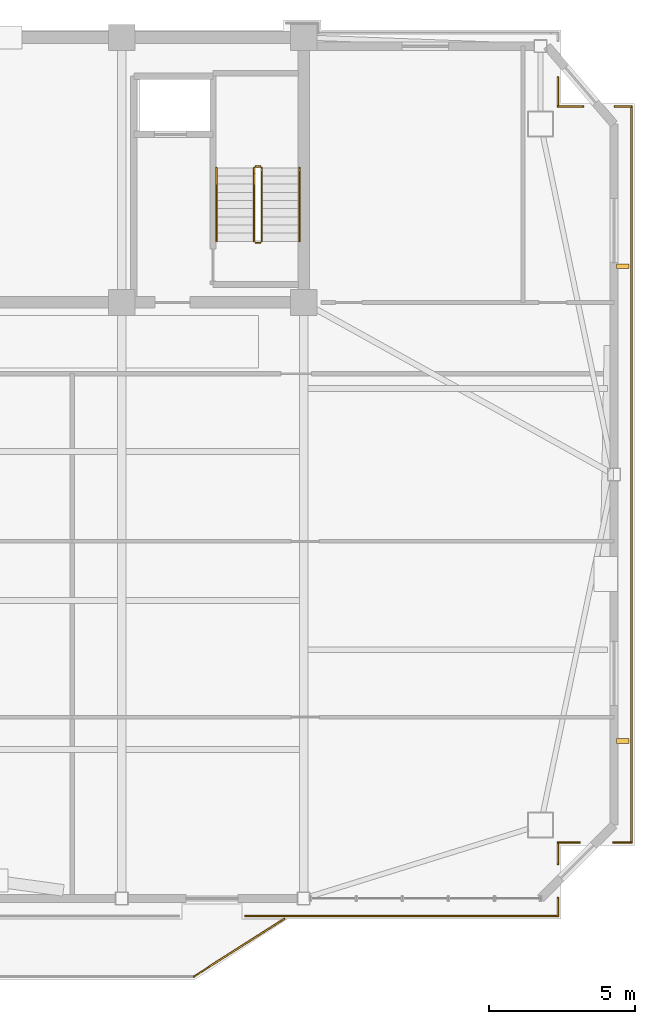
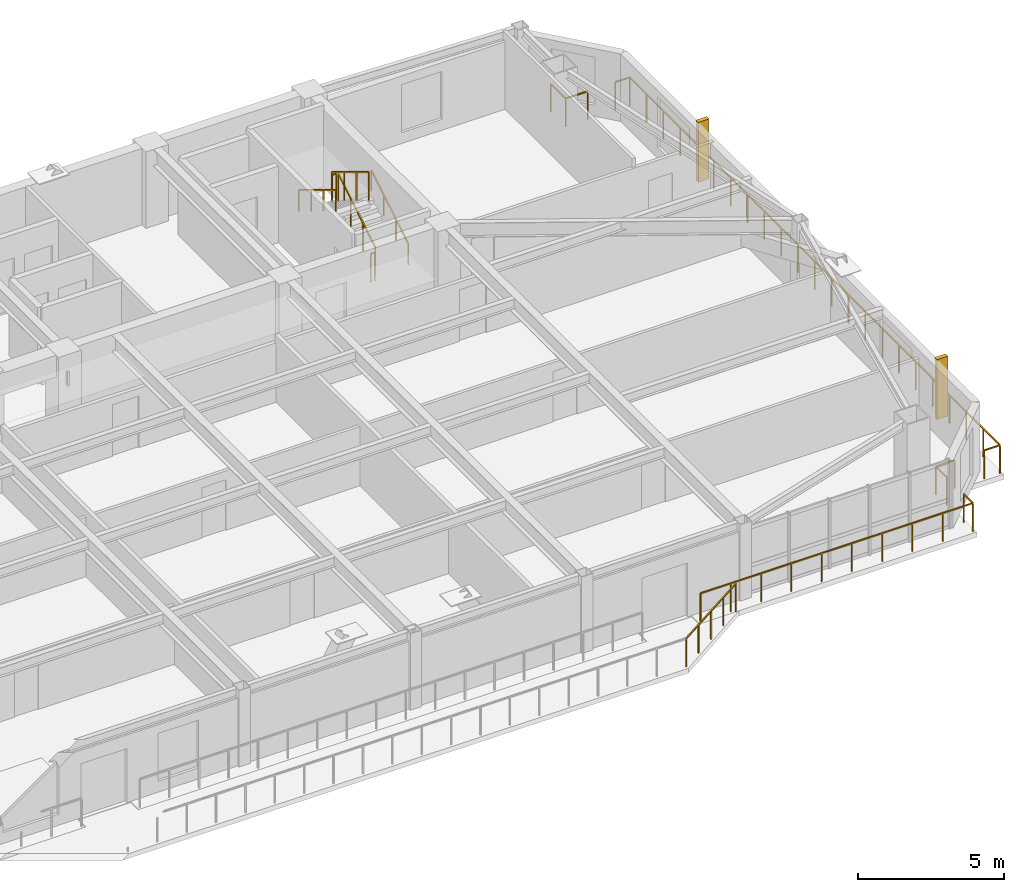
# One storey, part 14 of 16: 16 railings, 2 shading devices.
"""IFC4 building model written with IfcOpenShell, lengths in metres."""

from ifc_helpers import new_model, si_unit, direction, frame, origin, origin_2d, place, context, subcontext, project, spatial, rectangle, extrude, source, transform, mapped, material, type_object, element, save


model = new_model("IFC4")

# Units and contexts
model_context = context("Model", 3, precision=1e-05, world=origin(), true_north=direction((0.0, 1.0)))
body_context = subcontext(model_context, "Body", "Model", "MODEL_VIEW")
ifc_project = project(units=[si_unit("LENGTHUNIT", "METRE"), si_unit("AREAUNIT", "SQUARE_METRE"), si_unit("VOLUMEUNIT", "CUBIC_METRE"), si_unit("PLANEANGLEUNIT", "RADIAN"), si_unit("MASSUNIT", "GRAM", prefix="KILO")], contexts=[model_context])

# Site, building, storey
site_placement = place(None, origin())
site = spatial("IfcSite", under=ifc_project, at=site_placement, CompositionType="ELEMENT")
building_placement = place(site_placement, origin())
building = spatial("IfcBuilding", under=site, at=building_placement, Name="Giltprow Tower", CompositionType="ELEMENT")
storey_placement = place(building_placement, frame((0.0, 0.0, 272.300048828125)))
storey = spatial("IfcBuildingStorey", under=building, at=storey_placement, Name="L70", CompositionType="ELEMENT", Elevation=272.300048828125)

# Railings
ifc_material = material(Name="Anodized bronze", Category="metal")
railing_type_1 = type_object("IfcRailingType", Name="RAIL-BALC-GUARD-1200", PredefinedType="BALUSTRADE", material=ifc_material)
railing_1_placement = place(storey_placement, frame((46.780029296875, 14.2958984375, 0.0)))
element("IfcRailing", 1, at=railing_1_placement, inside=storey, type_object=railing_type_1, Name="L70 Waterfront Balcony Balustrade Seg 3", PredefinedType="BALUSTRADE", context=body_context, shape_type="SweptSolid", body=[
    extrude(rectangle(XDim=0.048095703125, YDim=0.048095703125, at=origin_2d()), frame((0.0, 0.0, 1.17578125), z_axis=(0.842755646126, 0.538296313309, 0.0), x_axis=(-0.538296313309, 0.842755646126, 0.0)), (0.0, 0.0, 1.0), 3.67822265625),
    extrude(rectangle(XDim=0.0419921875, YDim=0.0419921875, at=origin_2d()), origin(), (0.0, 0.0, 1.0), 1.15185546875),
    extrude(rectangle(XDim=0.0419921875, YDim=0.0419921875, at=origin_2d()), frame((0.77490234375, 0.4951171875, 0.0)), (0.0, 0.0, 1.0), 1.15185546875),
    extrude(rectangle(XDim=0.0419921875, YDim=0.0419921875, at=origin_2d()), frame((1.5498046875, 0.989990234375, 0.0)), (0.0, 0.0, 1.0), 1.15185546875),
    extrude(rectangle(XDim=0.0419921875, YDim=0.0419921875, at=origin_2d()), frame((2.324951171875, 1.48486328125, 0.0)), (0.0, 0.0, 1.0), 1.15185546875),
    extrude(rectangle(XDim=0.0419921875, YDim=0.0419921875, at=origin_2d()), frame((3.099853515625, 1.97998046875, 0.0)), (0.0, 0.0, 1.0), 1.15185546875),
])
railing_2_placement = place(storey_placement, frame((61.806884765625, 44.176025390625, 0.0)))
element("IfcRailing", 2, at=railing_2_placement, inside=storey, type_object=railing_type_1, Name="L70 Corner Apron Edge Balustrade 1", PredefinedType="BALUSTRADE", context=body_context, shape_type="SweptSolid", body=[
    extrude(rectangle(XDim=0.048095703125, YDim=0.048095703125, at=origin_2d()), frame((0.0, 0.0, 1.17578125), z_axis=(0.0, -1.0, 0.0), x_axis=(1.0, 0.0, 0.0)), (0.0, 0.0, 1.0), 25.277099609375),
    extrude(rectangle(XDim=0.0419921875, YDim=0.0419921875, at=origin_2d()), origin(), (0.0, 0.0, 1.0), 1.15185546875),
    extrude(rectangle(XDim=0.0419921875, YDim=0.0419921875, at=origin_2d()), frame((0.0, -1.14892578125, 0.0)), (0.0, 0.0, 1.0), 1.15185546875),
    extrude(rectangle(XDim=0.0419921875, YDim=0.0419921875, at=origin_2d()), frame((0.0, -2.2978515625, 0.0)), (0.0, 0.0, 1.0), 1.15185546875),
    extrude(rectangle(XDim=0.0419921875, YDim=0.0419921875, at=origin_2d()), frame((0.0, -3.44677734375, 0.0)), (0.0, 0.0, 1.0), 1.15185546875),
    extrude(rectangle(XDim=0.0419921875, YDim=0.0419921875, at=origin_2d()), frame((0.0, -4.595947265625, 0.0)), (0.0, 0.0, 1.0), 1.15185546875),
    extrude(rectangle(XDim=0.0419921875, YDim=0.0419921875, at=origin_2d()), frame((0.0, -5.744873046875, 0.0)), (0.0, 0.0, 1.0), 1.15185546875),
    extrude(rectangle(XDim=0.0419921875, YDim=0.0419921875, at=origin_2d()), frame((0.0, -6.893798828125, 0.0)), (0.0, 0.0, 1.0), 1.15185546875),
    extrude(rectangle(XDim=0.0419921875, YDim=0.0419921875, at=origin_2d()), frame((0.0, -8.042724609375, 0.0)), (0.0, 0.0, 1.0), 1.15185546875),
    extrude(rectangle(XDim=0.0419921875, YDim=0.0419921875, at=origin_2d()), frame((0.0, -9.191650390625, 0.0)), (0.0, 0.0, 1.0), 1.15185546875),
    extrude(rectangle(XDim=0.0419921875, YDim=0.0419921875, at=origin_2d()), frame((0.0, -10.340576171875, 0.0)), (0.0, 0.0, 1.0), 1.15185546875),
    extrude(rectangle(XDim=0.0419921875, YDim=0.0419921875, at=origin_2d()), frame((0.0, -11.489501953125, 0.0)), (0.0, 0.0, 1.0), 1.15185546875),
    extrude(rectangle(XDim=0.0419921875, YDim=0.0419921875, at=origin_2d()), frame((0.0, -12.638671875, 0.0)), (0.0, 0.0, 1.0), 1.15185546875),
    extrude(rectangle(XDim=0.0419921875, YDim=0.0419921875, at=origin_2d()), frame((0.0, -13.78759765625, 0.0)), (0.0, 0.0, 1.0), 1.15185546875),
    extrude(rectangle(XDim=0.0419921875, YDim=0.0419921875, at=origin_2d()), frame((0.0, -14.9365234375, 0.0)), (0.0, 0.0, 1.0), 1.15185546875),
    extrude(rectangle(XDim=0.0419921875, YDim=0.0419921875, at=origin_2d()), frame((0.0, -16.08544921875, 0.0)), (0.0, 0.0, 1.0), 1.15185546875),
    extrude(rectangle(XDim=0.0419921875, YDim=0.0419921875, at=origin_2d()), frame((0.0, -17.234375, 0.0)), (0.0, 0.0, 1.0), 1.15185546875),
    extrude(rectangle(XDim=0.0419921875, YDim=0.0419921875, at=origin_2d()), frame((0.0, -18.38330078125, 0.0)), (0.0, 0.0, 1.0), 1.15185546875),
    extrude(rectangle(XDim=0.0419921875, YDim=0.0419921875, at=origin_2d()), frame((0.0, -19.5322265625, 0.0)), (0.0, 0.0, 1.0), 1.15185546875),
    extrude(rectangle(XDim=0.0419921875, YDim=0.0419921875, at=origin_2d()), frame((0.0, -20.68115234375, 0.0)), (0.0, 0.0, 1.0), 1.15185546875),
    extrude(rectangle(XDim=0.0419921875, YDim=0.0419921875, at=origin_2d()), frame((0.0, -21.830322265625, 0.0)), (0.0, 0.0, 1.0), 1.15185546875),
    extrude(rectangle(XDim=0.0419921875, YDim=0.0419921875, at=origin_2d()), frame((0.0, -22.979248046875, 0.0)), (0.0, 0.0, 1.0), 1.15185546875),
    extrude(rectangle(XDim=0.0419921875, YDim=0.0419921875, at=origin_2d()), frame((0.0, -24.128173828125, 0.0)), (0.0, 0.0, 1.0), 1.15185546875),
    extrude(rectangle(XDim=0.0419921875, YDim=0.0419921875, at=origin_2d()), frame((0.0, -25.277099609375, 0.0)), (0.0, 0.0, 1.0), 1.15185546875),
])
railing_3_placement = place(storey_placement, frame((61.806884765625, 18.89892578125, 0.0)))
element("IfcRailing", 3, at=railing_3_placement, inside=storey, type_object=railing_type_1, Name="L70 Corner Apron Edge Balustrade 2", PredefinedType="BALUSTRADE", context=body_context, shape_type="SweptSolid", body=[
    extrude(rectangle(XDim=0.048095703125, YDim=0.048095703125, at=origin_2d()), frame((0.0, 0.0, 1.17578125), z_axis=(-1.0, 0.0, 0.0), x_axis=(0.0, -1.0, 0.0)), (0.0, 0.0, 1.0), 0.619873046875),
    extrude(rectangle(XDim=0.0419921875, YDim=0.0419921875, at=origin_2d()), origin(), (0.0, 0.0, 1.0), 1.15185546875),
    extrude(rectangle(XDim=0.0419921875, YDim=0.0419921875, at=origin_2d()), frame((-0.619873046875, 0.0, 0.0)), (0.0, 0.0, 1.0), 1.15185546875),
])
railing_4_placement = place(storey_placement, frame((60.027099609375, 18.89892578125, 0.0)))
element("IfcRailing", 4, at=railing_4_placement, inside=storey, type_object=railing_type_1, Name="L70 Corner Apron Edge Balustrade 3", PredefinedType="BALUSTRADE", context=body_context, shape_type="SweptSolid", body=[
    extrude(rectangle(XDim=0.048095703125, YDim=0.048095703125, at=origin_2d()), frame((0.0, 0.0, 1.17578125), z_axis=(-1.0, 0.0, 0.0), x_axis=(0.0, -1.0, 0.0)), (0.0, 0.0, 1.0), 0.744140625),
    extrude(rectangle(XDim=0.0419921875, YDim=0.0419921875, at=origin_2d()), origin(), (0.0, 0.0, 1.0), 1.15185546875),
    extrude(rectangle(XDim=0.0419921875, YDim=0.0419921875, at=origin_2d()), frame((-0.744140625, 0.0, 0.0)), (0.0, 0.0, 1.0), 1.15185546875),
])
railing_5_placement = place(storey_placement, frame((59.282958984375, 18.89892578125, 0.0)))
element("IfcRailing", 5, at=railing_5_placement, inside=storey, type_object=railing_type_1, Name="L70 Corner Apron Edge Balustrade 4", PredefinedType="BALUSTRADE", context=body_context, shape_type="SweptSolid", body=[
    extrude(rectangle(XDim=0.048095703125, YDim=0.048095703125, at=origin_2d()), frame((0.0, 0.0, 1.17578125), z_axis=(0.0, -1.0, 0.0), x_axis=(1.0, 0.0, 0.0)), (0.0, 0.0, 1.0), 0.743896484375),
    extrude(rectangle(XDim=0.0419921875, YDim=0.0419921875, at=origin_2d()), origin(), (0.0, 0.0, 1.0), 1.15185546875),
    extrude(rectangle(XDim=0.0419921875, YDim=0.0419921875, at=origin_2d()), frame((0.0, -0.743896484375, 0.0)), (0.0, 0.0, 1.0), 1.15185546875),
])
railing_6_placement = place(storey_placement, frame((59.282958984375, 16.9951171875, 0.0)))
element("IfcRailing", 6, at=railing_6_placement, inside=storey, type_object=railing_type_1, Name="L70 Corner Apron Edge Balustrade 5", PredefinedType="BALUSTRADE", context=body_context, shape_type="SweptSolid", body=[
    extrude(rectangle(XDim=0.048095703125, YDim=0.048095703125, at=origin_2d()), frame((0.0, 0.0, 1.17578125), z_axis=(0.0, -1.0, 0.0), x_axis=(1.0, 0.0, 0.0)), (0.0, 0.0, 1.0), 0.619140625),
    extrude(rectangle(XDim=0.0419921875, YDim=0.0419921875, at=origin_2d()), origin(), (0.0, 0.0, 1.0), 1.15185546875),
    extrude(rectangle(XDim=0.0419921875, YDim=0.0419921875, at=origin_2d()), frame((0.0, -0.619140625, 0.0)), (0.0, 0.0, 1.0), 1.15185546875),
])
railing_7_placement = place(storey_placement, frame((59.282958984375, 16.3759765625, 0.0)))
element("IfcRailing", 7, at=railing_7_placement, inside=storey, type_object=railing_type_1, Name="L70 Corner Apron Edge Balustrade 6", PredefinedType="BALUSTRADE", context=body_context, shape_type="SweptSolid", body=[
    extrude(rectangle(XDim=0.048095703125, YDim=0.048095703125, at=origin_2d()), frame((0.0, 0.0, 1.17578125), z_axis=(-1.0, 0.0, 0.0), x_axis=(0.0, -1.0, 0.0)), (0.0, 0.0, 1.0), 10.73291015625),
    extrude(rectangle(XDim=0.0419921875, YDim=0.0419921875, at=origin_2d()), origin(), (0.0, 0.0, 1.0), 1.15185546875),
    extrude(rectangle(XDim=0.0419921875, YDim=0.0419921875, at=origin_2d()), frame((-1.192626953125, 0.0, 0.0)), (0.0, 0.0, 1.0), 1.15185546875),
    extrude(rectangle(XDim=0.0419921875, YDim=0.0419921875, at=origin_2d()), frame((-2.385009765625, 0.0, 0.0)), (0.0, 0.0, 1.0), 1.15185546875),
    extrude(rectangle(XDim=0.0419921875, YDim=0.0419921875, at=origin_2d()), frame((-3.57763671875, 0.0, 0.0)), (0.0, 0.0, 1.0), 1.15185546875),
    extrude(rectangle(XDim=0.0419921875, YDim=0.0419921875, at=origin_2d()), frame((-4.770263671875, 0.0, 0.0)), (0.0, 0.0, 1.0), 1.15185546875),
    extrude(rectangle(XDim=0.0419921875, YDim=0.0419921875, at=origin_2d()), frame((-5.962646484375, 0.0, 0.0)), (0.0, 0.0, 1.0), 1.15185546875),
    extrude(rectangle(XDim=0.0419921875, YDim=0.0419921875, at=origin_2d()), frame((-7.1552734375, 0.0, 0.0)), (0.0, 0.0, 1.0), 1.15185546875),
    extrude(rectangle(XDim=0.0419921875, YDim=0.0419921875, at=origin_2d()), frame((-8.347900390625, 0.0, 0.0)), (0.0, 0.0, 1.0), 1.15185546875),
    extrude(rectangle(XDim=0.0419921875, YDim=0.0419921875, at=origin_2d()), frame((-9.540283203125, 0.0, 0.0)), (0.0, 0.0, 1.0), 1.15185546875),
    extrude(rectangle(XDim=0.0419921875, YDim=0.0419921875, at=origin_2d()), frame((-10.73291015625, 0.0, 0.0)), (0.0, 0.0, 1.0), 1.15185546875),
])
railing_8_placement = place(storey_placement, frame((59.282958984375, 45.18603515625, 0.0)))
element("IfcRailing", 8, at=railing_8_placement, inside=storey, type_object=railing_type_1, Name="L70 Corner Apron Edge Balustrade 27", PredefinedType="BALUSTRADE", context=body_context, shape_type="SweptSolid", body=[
    extrude(rectangle(XDim=0.048095703125, YDim=0.048095703125, at=origin_2d()), frame((0.0, 0.0, 1.17578125), z_axis=(0.0, -1.0, 0.0), x_axis=(1.0, 0.0, 0.0)), (0.0, 0.0, 1.0), 1.010009765625),
    extrude(rectangle(XDim=0.0419921875, YDim=0.0419921875, at=origin_2d()), origin(), (0.0, 0.0, 1.0), 1.15185546875),
    extrude(rectangle(XDim=0.0419921875, YDim=0.0419921875, at=origin_2d()), frame((0.0, -1.010009765625, 0.0)), (0.0, 0.0, 1.0), 1.15185546875),
])
railing_9_placement = place(storey_placement, frame((59.282958984375, 44.176025390625, 0.0)))
element("IfcRailing", 9, at=railing_9_placement, inside=storey, type_object=railing_type_1, Name="L70 Corner Apron Edge Balustrade 28", PredefinedType="BALUSTRADE", context=body_context, shape_type="SweptSolid", body=[
    extrude(rectangle(XDim=0.048095703125, YDim=0.048095703125, at=origin_2d()), frame((0.0, 0.0, 1.17578125), z_axis=(1.0, 0.0, 0.0), x_axis=(0.0, 1.0, 0.0)), (0.0, 0.0, 1.0), 0.867919921875),
    extrude(rectangle(XDim=0.0419921875, YDim=0.0419921875, at=origin_2d()), origin(), (0.0, 0.0, 1.0), 1.15185546875),
    extrude(rectangle(XDim=0.0419921875, YDim=0.0419921875, at=origin_2d()), frame((0.867919921875, 0.0, 0.0)), (0.0, 0.0, 1.0), 1.15185546875),
])
railing_10_placement = place(storey_placement, frame((61.23291015625, 44.176025390625, 0.0)))
element("IfcRailing", 10, at=railing_10_placement, inside=storey, type_object=railing_type_1, Name="L70 Corner Apron Edge Balustrade 29", PredefinedType="BALUSTRADE", context=body_context, shape_type="SweptSolid", body=[
    extrude(rectangle(XDim=0.048095703125, YDim=0.048095703125, at=origin_2d()), frame((0.0, 0.0, 1.17578125), z_axis=(1.0, 0.0, 0.0), x_axis=(0.0, 1.0, 0.0)), (0.0, 0.0, 1.0), 0.573974609375),
    extrude(rectangle(XDim=0.0419921875, YDim=0.0419921875, at=origin_2d()), origin(), (0.0, 0.0, 1.0), 1.15185546875),
    extrude(rectangle(XDim=0.0419921875, YDim=0.0419921875, at=origin_2d()), frame((0.573974609375, 0.0, 0.0)), (0.0, 0.0, 1.0), 1.15185546875),
])
railing_type_2 = type_object("IfcRailingType", Name="RAIL-STAIR-GUARD-1200", PredefinedType="GUARDRAIL", material=ifc_material)
railing_11_placement = place(storey_placement, frame((49.110107421875, 39.550048828125, 0.169921875)))
element("IfcRailing", 11, at=railing_11_placement, inside=storey, type_object=railing_type_2, Name="L70 ST-3 stair guard 1", PredefinedType="GUARDRAIL", context=body_context, shape_type="SweptSolid", body=[
    extrude(rectangle(XDim=0.048095703125, YDim=0.048095703125, at=origin_2d()), frame((0.0, 0.0, 1.17578125), z_axis=(0.0, 0.85478489116, 0.518982456201), x_axis=(-1.0, 0.0, 0.0)), (0.0, 0.0, 1.0), 2.9482421875),
    extrude(rectangle(XDim=0.0419921875, YDim=0.0419921875, at=origin_2d()), origin(), (0.0, 0.0, 1.0), 1.15185546875),
    extrude(rectangle(XDim=0.0419921875, YDim=0.0419921875, at=origin_2d()), frame((0.0, 0.840087890625, 0.510009765625)), (0.0, 0.0, 1.0), 1.15185546875),
    extrude(rectangle(XDim=0.0419921875, YDim=0.0419921875, at=origin_2d()), frame((0.0, 1.679931640625, 1.02001953125)), (0.0, 0.0, 1.0), 1.15185546875),
    extrude(rectangle(XDim=0.0419921875, YDim=0.0419921875, at=origin_2d()), frame((0.0, 2.52001953125, 1.530029296875)), (0.0, 0.0, 1.0), 1.15185546875),
])
railing_12_placement = place(storey_placement, frame((49.06005859375, 42.1201171875, 1.699951171875)))
element("IfcRailing", 12, at=railing_12_placement, inside=storey, type_object=railing_type_2, Name="L70 ST-3 stair guard 2", PredefinedType="GUARDRAIL", context=body_context, shape_type="SweptSolid", body=[
    extrude(rectangle(XDim=0.048095703125, YDim=0.048095703125, at=origin_2d()), frame((0.0, 0.0, 1.17578125), z_axis=(-1.0, 0.0, 0.0), x_axis=(0.0, -1.0, 0.0)), (0.0, 0.0, 1.0), 0.16015625),
    extrude(rectangle(XDim=0.0419921875, YDim=0.0419921875, at=origin_2d()), origin(), (0.0, 0.0, 1.0), 1.15185546875),
    extrude(rectangle(XDim=0.0419921875, YDim=0.0419921875, at=origin_2d()), frame((-0.16015625, 0.0, 0.0)), (0.0, 0.0, 1.0), 1.15185546875),
])
railing_13_placement = place(storey_placement, frame((48.85009765625, 42.070068359375, 1.869873046875)))
element("IfcRailing", 13, at=railing_13_placement, inside=storey, type_object=railing_type_2, Name="L70 ST-3 stair guard 3", PredefinedType="GUARDRAIL", context=body_context, shape_type="SweptSolid", body=[
    extrude(rectangle(XDim=0.048095703125, YDim=0.048095703125, at=origin_2d()), frame((0.0, 0.0, 1.17578125), z_axis=(0.0, -0.85478489116, 0.518982456201), x_axis=(1.0, 0.0, 0.0)), (0.0, 0.0, 1.0), 2.9482421875),
    extrude(rectangle(XDim=0.0419921875, YDim=0.0419921875, at=origin_2d()), origin(), (0.0, 0.0, 1.0), 1.15185546875),
    extrude(rectangle(XDim=0.0419921875, YDim=0.0419921875, at=origin_2d()), frame((0.0, -0.840087890625, 0.510009765625)), (0.0, 0.0, 1.0), 1.15185546875),
    extrude(rectangle(XDim=0.0419921875, YDim=0.0419921875, at=origin_2d()), frame((0.0, -1.679931640625, 1.02001953125)), (0.0, 0.0, 1.0), 1.15185546875),
    extrude(rectangle(XDim=0.0419921875, YDim=0.0419921875, at=origin_2d()), frame((0.0, -2.52001953125, 1.530029296875)), (0.0, 0.0, 1.0), 1.15185546875),
])
railing_14_placement = place(storey_placement, frame((49.06005859375, 39.5, 0.0)))
element("IfcRailing", 14, at=railing_14_placement, inside=storey, type_object=railing_type_2, Name="L70 ST-3 stair guard 4", PredefinedType="GUARDRAIL", context=body_context, shape_type="SweptSolid", body=[
    extrude(rectangle(XDim=0.048095703125, YDim=0.048095703125, at=origin_2d()), frame((0.0, 0.0, 1.17578125), z_axis=(-1.0, 0.0, 0.0), x_axis=(0.0, -1.0, 0.0)), (0.0, 0.0, 1.0), 0.16015625),
    extrude(rectangle(XDim=0.0419921875, YDim=0.0419921875, at=origin_2d()), origin(), (0.0, 0.0, 1.0), 1.15185546875),
    extrude(rectangle(XDim=0.0419921875, YDim=0.0419921875, at=origin_2d()), frame((-0.16015625, 0.0, 0.0)), (0.0, 0.0, 1.0), 1.15185546875),
])
railing_type_3 = type_object("IfcRailingType", Name="RAIL-STAIR-HAND-900", PredefinedType="HANDRAIL", material=ifc_material)
railing_15_placement = place(storey_placement, frame((50.409912109375, 39.550048828125, 0.169921875)))
element("IfcRailing", 15, at=railing_15_placement, inside=storey, type_object=railing_type_3, Name="L70 ST-3 stair handrail 1", PredefinedType="HANDRAIL", context=body_context, shape_type="SweptSolid", body=[
    extrude(rectangle(XDim=0.048095703125, YDim=0.048095703125, at=origin_2d()), frame((0.0, 0.0, 0.8759765625), z_axis=(0.0, 0.85478489116, 0.518982456201), x_axis=(-1.0, 0.0, 0.0)), (0.0, 0.0, 1.0), 2.9482421875),
    extrude(rectangle(XDim=0.0419921875, YDim=0.0419921875, at=origin_2d()), origin(), (0.0, 0.0, 1.0), 0.851806640625),
    extrude(rectangle(XDim=0.0419921875, YDim=0.0419921875, at=origin_2d()), frame((0.0, 0.840087890625, 0.510009765625)), (0.0, 0.0, 1.0), 0.851806640625),
    extrude(rectangle(XDim=0.0419921875, YDim=0.0419921875, at=origin_2d()), frame((0.0, 1.679931640625, 1.02001953125)), (0.0, 0.0, 1.0), 0.851806640625),
    extrude(rectangle(XDim=0.0419921875, YDim=0.0419921875, at=origin_2d()), frame((0.0, 2.52001953125, 1.530029296875)), (0.0, 0.0, 1.0), 0.851806640625),
])
railing_16_placement = place(storey_placement, frame((47.550048828125, 42.070068359375, 1.869873046875)))
element("IfcRailing", 16, at=railing_16_placement, inside=storey, type_object=railing_type_3, Name="L70 ST-3 stair handrail 2", PredefinedType="HANDRAIL", context=body_context, shape_type="SweptSolid", body=[
    extrude(rectangle(XDim=0.048095703125, YDim=0.048095703125, at=origin_2d()), frame((0.0, 0.0, 0.8759765625), z_axis=(0.0, -0.85478489116, 0.518982456201), x_axis=(1.0, 0.0, 0.0)), (0.0, 0.0, 1.0), 2.9482421875),
    extrude(rectangle(XDim=0.0419921875, YDim=0.0419921875, at=origin_2d()), origin(), (0.0, 0.0, 1.0), 0.851806640625),
    extrude(rectangle(XDim=0.0419921875, YDim=0.0419921875, at=origin_2d()), frame((0.0, -0.840087890625, 0.510009765625)), (0.0, 0.0, 1.0), 0.851806640625),
    extrude(rectangle(XDim=0.0419921875, YDim=0.0419921875, at=origin_2d()), frame((0.0, -1.679931640625, 1.02001953125)), (0.0, 0.0, 1.0), 0.851806640625),
    extrude(rectangle(XDim=0.0419921875, YDim=0.0419921875, at=origin_2d()), frame((0.0, -2.52001953125, 1.530029296875)), (0.0, 0.0, 1.0), 0.851806640625),
])

# Shading devices
shading_device_type = type_object("IfcShadingDeviceType", Name="SHD-FIN-420", PredefinedType="USERDEFINED", material=ifc_material)
shared_shape = source(origin(), body_context, "Body", "SweptSolid", [
    extrude(rectangle(XDim=0.419921875, YDim=0.159912109375, at=origin_2d()), origin(), (0.0, 0.0, 1.0), 2.5),
])
for number, where, z_axis, x_axis, name in (
    (17, (61.507080078125, 22.386962890625, 0.349853515625), (0.0, 0.0, 1.0), (1.0, 0.0, 0.0), "L70 E Bronze Vertical Fin 1-1"),
    (18, (61.507080078125, 38.69189453125, 0.349853515625), (0.0, 0.0, 1.0), (1.0, 0.0, 0.0), "L70 E Bronze Vertical Fin 2-1"),
):
    element("IfcShadingDevice", number, at=place(storey_placement, frame(where, z_axis=z_axis, x_axis=x_axis)), inside=storey, type_object=shading_device_type, Name=name, ObjectType="FIN", PredefinedType="USERDEFINED", context=body_context, shape_type="MappedRepresentation", body=[
        mapped(shared_shape, transform((0.0, 0.0, 0.0), x_axis=(1.0, 0.0, 0.0), y_axis=(0.0, 1.0, 0.0), z_axis=(0.0, 0.0, 1.0), scale=1.0)),
    ])

save(model, "model.ifc")
